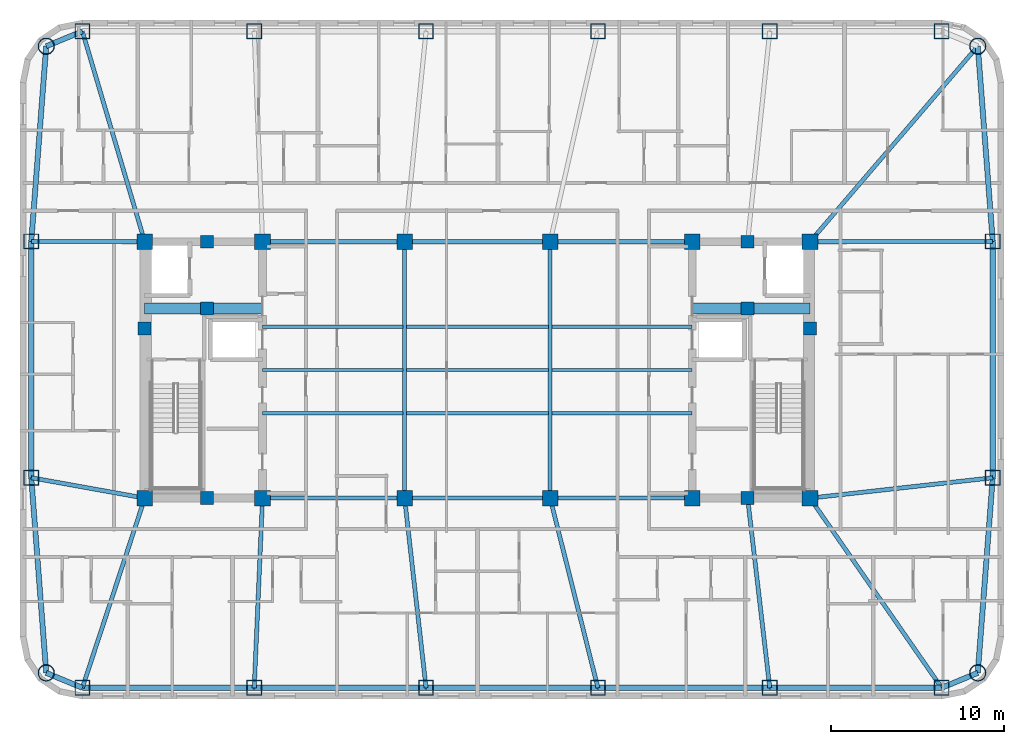
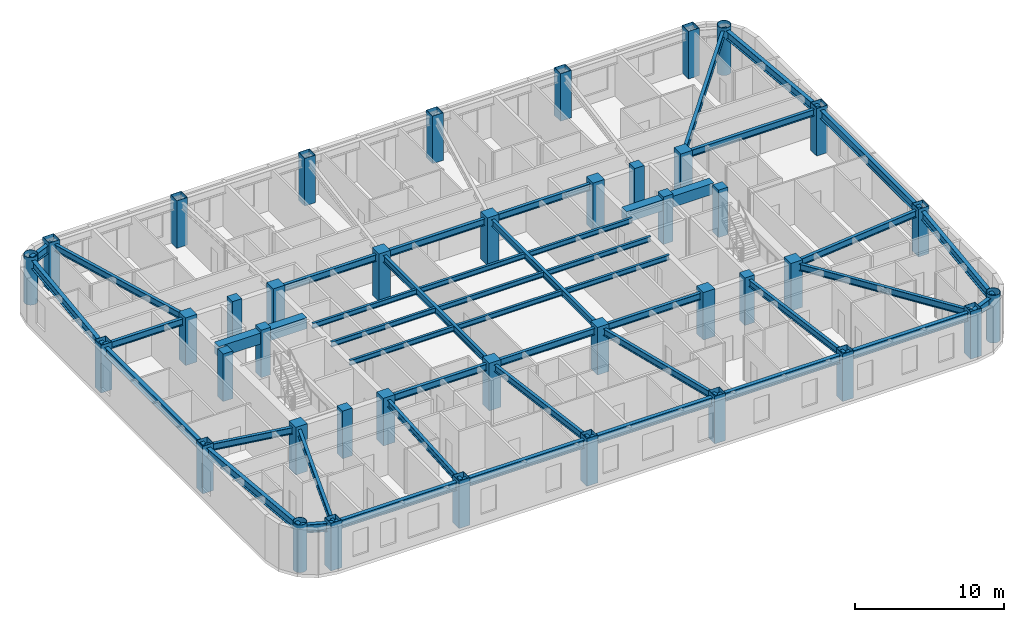
# One storey, part 1 of 11: 45 beams, 40 columns.
"""IFC4 building model written with IfcOpenShell, lengths in metres."""

import ifcopenshell
import ifcopenshell.guid

model = None  # the IFC model being written
_history = None  # IfcOwnerHistory: only IFC2X3 demands one
_inside = {}  # id of a spatial element -> (the spatial element, [elements in it])
_under = {}  # id of a project, library or spatial element -> (it, [spatial elements below it])
_declared = {}  # id of a project -> (the project, [libraries it declares])
_typed = {}  # id of a type object -> (the type object, [elements of that type])
_made_of = {}  # id of a material, layer set ... -> (it, [elements and type objects made of it])


def new_model(schema):
    """Start an empty IFC model of exactly this schema.

    Asked for "IFC4X3", IfcOpenShell would pick the latest addendum, in which some entities
    have other attributes; the version numbers below select the first issue.
    IFC2X3 requires an IfcOwnerHistory on every rooted entity: one is made here for all.
    """
    global model, _history
    if schema == "IFC4X3":
        model = ifcopenshell.file(schema_version=(4, 3, 0, 0))
    else:
        model = ifcopenshell.file(schema=schema)
    _inside.clear()
    _under.clear()
    _declared.clear()
    _typed.clear()
    _made_of.clear()
    _history = None
    if model.schema == "IFC2X3":
        org = make("IfcOrganization", Name="unknown")
        user = make(
            "IfcPersonAndOrganization",
            ThePerson=make("IfcPerson", FamilyName="unknown"),
            TheOrganization=org,
        )
        app = make(
            "IfcApplication",
            ApplicationDeveloper=org,
            Version="unknown",
            ApplicationFullName="unknown",
            ApplicationIdentifier="unknown",
        )
        _history = make(
            "IfcOwnerHistory",
            OwningUser=user,
            OwningApplication=app,
            ChangeAction="ADDED",
            CreationDate=0,
        )
    return model


def make(cls, **values):
    """One entity of the class cls with the attributes given. An attribute that is None is left unset."""
    return model.create_entity(
        cls, **{name: value for name, value in values.items() if value is not None}
    )


def rooted(cls, **values):
    """An entity with a GlobalId (a new one), such as an element, a storey or a relation."""
    return make(cls, GlobalId=ifcopenshell.guid.new(), OwnerHistory=_history, **values)


def si_unit(unit_type, name, prefix=None):
    """IfcSIUnit, for example si_unit("LENGTHUNIT", "METRE", prefix="MILLI")."""
    return make("IfcSIUnit", UnitType=unit_type, Prefix=prefix, Name=name)


def assignment(units):
    """IfcUnitAssignment: the units of a project."""
    return None if units is None else make("IfcUnitAssignment", Units=units)


def point(xyz):
    """IfcCartesianPoint."""
    return None if xyz is None else make("IfcCartesianPoint", Coordinates=xyz)


def direction(xyz):
    """IfcDirection."""
    return None if xyz is None else make("IfcDirection", DirectionRatios=xyz)


def frame(location, z_axis=None, x_axis=None):
    """IfcAxis2Placement3D, a coordinate frame: its origin and axes. An axis left out is left unset."""
    return make(
        "IfcAxis2Placement3D",
        Location=point(location),
        Axis=direction(z_axis),
        RefDirection=direction(x_axis),
    )


def frame_2d(location, x_axis=None):
    """IfcAxis2Placement2D, a coordinate frame in the plane: its origin and x axis."""
    return make(
        "IfcAxis2Placement2D", Location=point(location), RefDirection=direction(x_axis)
    )


def origin():
    """The frame at (0, 0, 0) with its axes left unset."""
    return frame((0.0, 0.0, 0.0))


def origin_2d():
    """The frame at (0, 0) in the plane with its x axis left unset."""
    return frame_2d((0.0, 0.0))


def place(relative_to, where):
    """IfcLocalPlacement: puts the frame where relative to a parent placement (None: the world)."""
    return make(
        "IfcLocalPlacement", PlacementRelTo=relative_to, RelativePlacement=where
    )


def context(
    kind, dimensions, precision=None, world=None, true_north=None, identifier=None
):
    """IfcGeometricRepresentationContext, for example the 3D "Model" context."""
    return make(
        "IfcGeometricRepresentationContext",
        ContextIdentifier=identifier,
        ContextType=kind,
        CoordinateSpaceDimension=dimensions,
        Precision=precision,
        WorldCoordinateSystem=world,
        TrueNorth=true_north,
    )


def subcontext(parent, identifier, kind, view, scale=None):
    """IfcGeometricRepresentationSubContext, for example "Body" below "Model"."""
    return make(
        "IfcGeometricRepresentationSubContext",
        ContextIdentifier=identifier,
        ContextType=kind,
        ParentContext=parent,
        TargetScale=scale,
        TargetView=view,
    )


def project(units=None, contexts=None):
    """IfcProject with its units and contexts."""
    return rooted(
        "IfcProject",
        Name="project",
        RepresentationContexts=contexts,
        UnitsInContext=assignment(units),
    )


def spatial(cls, under=None, at=None, **own):
    """A site, building, storey or space (cls), placed at a placement, below another one or the project."""
    s = rooted(cls, ObjectPlacement=at, **own)
    if under is not None:
        _under.setdefault(under.id(), (under, []))[1].append(s)
    return s


def profile(cls, at=None, kind="AREA", **sizes):
    """A parametric profile (cls). Its sizes go by their IFC names, for example OverallWidth=200.0."""
    return make(cls, ProfileType=kind, Position=at, **sizes)


def rectangle(**sizes):
    """IfcRectangleProfileDef."""
    return profile("IfcRectangleProfileDef", **sizes)


def hollow_rectangle(**sizes):
    """IfcRectangleHollowProfileDef."""
    return profile("IfcRectangleHollowProfileDef", **sizes)


def hollow_circle(**sizes):
    """IfcCircleHollowProfileDef."""
    return profile("IfcCircleHollowProfileDef", **sizes)


def i_section(**sizes):
    """IfcIShapeProfileDef."""
    return profile("IfcIShapeProfileDef", **sizes)


def extrude(swept, where, along, depth):
    """IfcExtrudedAreaSolid: the profile swept, set in the frame where, extruded along a direction by depth."""
    return make(
        "IfcExtrudedAreaSolid",
        SweptArea=swept,
        Position=where,
        ExtrudedDirection=direction(along),
        Depth=depth,
    )


def shape(context_of_items, identifier, shape_type, items):
    """IfcShapeRepresentation: the items that make up one representation, for example the "Body"."""
    return make(
        "IfcShapeRepresentation",
        ContextOfItems=context_of_items,
        RepresentationIdentifier=identifier,
        RepresentationType=shape_type,
        Items=items,
    )


def material(Name=None, Category=None):
    """IfcMaterial."""
    return make("IfcMaterial", Name=Name, Category=Category)


def material_profile(
    of_material, cross_section, Name=None, Category=None, Priority=None
):
    """IfcMaterialProfile: a cross section and its material."""
    return make(
        "IfcMaterialProfile",
        Name=Name,
        Material=of_material,
        Profile=cross_section,
        Priority=Priority,
        Category=Category,
    )


def profile_set(profiles, Name=None, composite=None):
    """IfcMaterialProfileSet."""
    return make(
        "IfcMaterialProfileSet",
        Name=Name,
        MaterialProfiles=profiles,
        CompositeProfile=composite,
    )


def made_of(thing, what):
    """Note that an element or type object is made of a material, layer set ...; save() writes the relation."""
    if what is not None:
        _made_of.setdefault(what.id(), (what, []))[1].append(thing)
    return thing


def type_object(cls, material=None, **own):
    """A type object (cls), such as IfcWallType, which elements share."""
    return made_of(rooted(cls, **own), material)


def element(
    cls,
    number,
    at=None,
    inside=None,
    cuts=None,
    type_object=None,
    material=None,
    context=None,
    identifier="Body",
    shape_type=None,
    held_by="IfcProductDefinitionShape",
    body=None,
    shapes=None,
    **own,
):
    """One element of the class cls, such as IfcWall. Its Tag is "e" and its number.

    at: its placement. inside: the storey or other place that contains it. cuts: it is an
    opening in that element (IfcRelVoidsElement). A single representation is given by context,
    identifier, shape_type and body (its items); several are given by shapes. held_by: the class
    of the entity that holds the representations. save() writes the other relations.
    """
    e = rooted(cls, Tag="e%d" % number, ObjectPlacement=at, **own)
    if body is not None:
        shapes = [shape(context, identifier, shape_type, body)]
    if shapes is not None:
        e.Representation = make(held_by, Representations=shapes)
    if inside is not None:
        _inside.setdefault(inside.id(), (inside, []))[1].append(e)
    if cuts is not None:
        rooted(
            "IfcRelVoidsElement", RelatingBuildingElement=cuts, RelatedOpeningElement=e
        )
    if type_object is not None:
        _typed.setdefault(type_object.id(), (type_object, []))[1].append(e)
    return made_of(e, material)


def aggregate(whole, parts):
    """IfcRelAggregates: a whole, such as a stair, and the parts it consists of."""
    return rooted("IfcRelAggregates", RelatingObject=whole, RelatedObjects=parts)


def save(model, path):
    """Write the relations noted so far, then the file.

    IfcRelAggregates (storeys below a building ...), IfcRelContainedInSpatialStructure (elements
    in a storey), IfcRelDefinesByType, IfcRelAssociatesMaterial and IfcRelDeclares: one each for
    every whole, place, type object, material and project.
    """
    for whole, parts in _under.values():
        aggregate(whole, parts)
    for where, things in _inside.values():
        rooted(
            "IfcRelContainedInSpatialStructure",
            RelatedElements=things,
            RelatingStructure=where,
        )
    for kind, things in _typed.values():
        rooted("IfcRelDefinesByType", RelatedObjects=things, RelatingType=kind)
    for what, things in _made_of.values():
        rooted("IfcRelAssociatesMaterial", RelatedObjects=things, RelatingMaterial=what)
    for by, libraries in _declared.values():
        rooted("IfcRelDeclares", RelatingContext=by, RelatedDefinitions=libraries)
    model.write(path)


model = new_model("IFC4")

# Units and contexts
model_context = context("Model", 3, precision=1e-05, world=origin(), true_north=direction((0.0, 1.0)))
body_context = subcontext(model_context, "Body", "Model", "MODEL_VIEW")
ifc_project = project(units=[si_unit("LENGTHUNIT", "METRE"), si_unit("AREAUNIT", "SQUARE_METRE"), si_unit("VOLUMEUNIT", "CUBIC_METRE"), si_unit("PLANEANGLEUNIT", "RADIAN"), si_unit("MASSUNIT", "GRAM", prefix="KILO")], contexts=[model_context])

# Site, building, storey
site_placement = place(None, origin())
site = spatial("IfcSite", under=ifc_project, at=site_placement, CompositionType="ELEMENT")
building_placement = place(site_placement, origin())
building = spatial("IfcBuilding", under=site, at=building_placement, Name="Voryun Gate Residences", CompositionType="ELEMENT")
storey_placement = place(building_placement, frame((0.0, 0.0, 215.800048828125)))
storey = spatial("IfcBuildingStorey", under=building, at=storey_placement, Name="L53", CompositionType="ELEMENT", Elevation=215.800048828125)

# Columns
ifc_material_1 = material(Name="Concrete C50/60", Category="concrete")
ifc_material_profile_1 = material_profile(ifc_material_1, rectangle(XDim=0.75, YDim=0.75, at=origin_2d()), Name="RC-750x750")
ifc_profile_set_1 = profile_set([ifc_material_profile_1], Name="Concrete C50/60")
column_type_1 = type_object("IfcColumnType", Name="COL_CORE_750", PredefinedType="COLUMN", material=ifc_profile_set_1)
for number, where, z_axis, x_axis, name in (
    (1, (-19.199951171875, 2.39990234375, 0.0), (0.0, 0.0, 1.0), (1.0, 0.0, 0.0), "L53 Core boundary column WC-MW"),
    (2, (-15.60009765625, -7.39990234375, 0.0), (0.0, 0.0, 1.0), (1.0, 0.0, 0.0), "L53 Core boundary column WC-SM"),
    (3, (-15.60009765625, 7.39990234375, 0.0), (0.0, 0.0, 1.0), (1.0, 0.0, 0.0), "L53 Core boundary column WC-NM"),
    (4, (-15.60009765625, 3.550048828125, 0.0), (0.0, 0.0, 1.0), (1.0, 0.0, 0.0), "L53 Core boundary column WC-MM"),
    (5, (15.60009765625, 3.550048828125, 0.0), (0.0, 0.0, 1.0), (1.0, 0.0, 0.0), "L53 Core boundary column EC-MM"),
    (6, (15.60009765625, -7.39990234375, 0.0), (0.0, 0.0, 1.0), (1.0, 0.0, 0.0), "L53 Core boundary column EC-SM"),
    (7, (15.60009765625, 7.39990234375, 0.0), (0.0, 0.0, 1.0), (1.0, 0.0, 0.0), "L53 Core boundary column EC-NM"),
    (8, (19.199951171875, 2.39990234375, 0.0), (0.0, 0.0, 1.0), (1.0, 0.0, 0.0), "L53 Core boundary column EC-ME"),
):
    element("IfcColumn", number, at=place(storey_placement, frame(where, z_axis=z_axis, x_axis=x_axis)), inside=storey, type_object=column_type_1, Name=name, PredefinedType="COLUMN", context=body_context, shape_type="SweptSolid", body=[
        extrude(rectangle(XDim=0.75, YDim=0.75, at=origin_2d()), origin(), (0.0, 0.0, 1.0), 3.89990234375),
    ])
ifc_material_2 = material(Name="Concrete C50/60", Category="concrete")
ifc_material_profile_2 = material_profile(ifc_material_2, rectangle(XDim=0.89990234375, YDim=0.89990234375, at=origin_2d()), Name="RC-900x900")
ifc_profile_set_2 = profile_set([ifc_material_profile_2], Name="Concrete C50/60")
column_type_2 = type_object("IfcColumnType", Name="COL_CORE_900", PredefinedType="COLUMN", material=ifc_profile_set_2)
for number, where, z_axis, x_axis, name in (
    (9, (-19.199951171875, -7.39990234375, 0.0), (0.0, 0.0, 1.0), (1.0, 0.0, 0.0), "L53 Core boundary column WC-SW"),
    (10, (-19.199951171875, 7.39990234375, 0.0), (0.0, 0.0, 1.0), (1.0, 0.0, 0.0), "L53 Core boundary column WC-NW"),
    (11, (-12.39990234375, -7.39990234375, 0.0), (0.0, 0.0, 1.0), (1.0, 0.0, 0.0), "L53 Core boundary column WC-SE"),
    (12, (-12.39990234375, 7.39990234375, 0.0), (0.0, 0.0, 1.0), (1.0, 0.0, 0.0), "L53 Core boundary column WC-NE"),
    (13, (12.39990234375, -7.39990234375, 0.0), (0.0, 0.0, 1.0), (1.0, 0.0, 0.0), "L53 Core boundary column EC-SW"),
    (14, (12.39990234375, 7.39990234375, 0.0), (0.0, 0.0, 1.0), (1.0, 0.0, 0.0), "L53 Core boundary column EC-NW"),
    (15, (19.199951171875, -7.39990234375, 0.0), (0.0, 0.0, 1.0), (1.0, 0.0, 0.0), "L53 Core boundary column EC-SE"),
    (16, (19.199951171875, 7.39990234375, 0.0), (0.0, 0.0, 1.0), (1.0, 0.0, 0.0), "L53 Core boundary column EC-NE"),
    (17, (-4.199951171875, -7.39990234375, 0.0), (0.0, 0.0, 1.0), (1.0, 0.0, 0.0), "L53 Interior spine column SP-WS"),
    (18, (-4.199951171875, 7.39990234375, 0.0), (0.0, 0.0, 1.0), (1.0, 0.0, 0.0), "L53 Interior spine column SP-WN"),
    (19, (4.199951171875, -7.39990234375, 0.0), (0.0, 0.0, 1.0), (1.0, 0.0, 0.0), "L53 Interior spine column SP-ES"),
    (20, (4.199951171875, 7.39990234375, 0.0), (0.0, 0.0, 1.0), (1.0, 0.0, 0.0), "L53 Interior spine column SP-EN"),
):
    element("IfcColumn", number, at=place(storey_placement, frame(where, z_axis=z_axis, x_axis=x_axis)), inside=storey, type_object=column_type_2, Name=name, PredefinedType="COLUMN", context=body_context, shape_type="SweptSolid", body=[
        extrude(rectangle(XDim=0.89990234375, YDim=0.89990234375, at=origin_2d()), origin(), (0.0, 0.0, 1.0), 3.89990234375),
    ])
ifc_material_3 = material(Name="Steel SM420", Category="steel")
ifc_material_profile_3 = material_profile(ifc_material_3, hollow_circle(Radius=0.47509765625, WallThickness=0.031982421875, at=origin_2d()), Name="CHS-950x32")
ifc_profile_set_3 = profile_set([ifc_material_profile_3], Name="Steel SM420")
column_type_3 = type_object("IfcColumnType", Name="COL_CRN_950", PredefinedType="COLUMN", material=ifc_profile_set_3)
for number, where, z_axis, x_axis, name in (
    (21, (28.885986328125, -17.486083984375, 0.0), (0.0, 0.0, 1.0), (1.0, 0.0, 0.0), "L53 Exoskeleton column CSE"),
    (22, (28.885986328125, 18.68603515625, 0.0), (0.0, 0.0, 1.0), (1.0, 0.0, 0.0), "L53 Exoskeleton column CNE"),
    (23, (-24.885986328125, 18.68603515625, 0.0), (0.0, 0.0, 1.0), (1.0, 0.0, 0.0), "L53 Exoskeleton column CNW"),
    (24, (-24.885986328125, -17.486083984375, 0.0), (0.0, 0.0, 1.0), (1.0, 0.0, 0.0), "L53 Exoskeleton column CSW"),
):
    element("IfcColumn", number, at=place(storey_placement, frame(where, z_axis=z_axis, x_axis=x_axis)), inside=storey, type_object=column_type_3, Name=name, PredefinedType="COLUMN", context=body_context, shape_type="SweptSolid", body=[
        extrude(hollow_circle(Radius=0.47509765625, WallThickness=0.031982421875, at=origin_2d()), origin(), (0.0, 0.0, 1.0), 3.89990234375),
    ])
ifc_material_4 = material(Name="Steel SM355", Category="steel")
ifc_material_profile_4 = material_profile(ifc_material_4, hollow_rectangle(XDim=0.85009765625, YDim=0.85009765625, WallThickness=0.028076171875, at=origin_2d()), Name="BOX-850x850x28")
ifc_profile_set_4 = profile_set([ifc_material_profile_4], Name="Steel SM355")
column_type_4 = type_object("IfcColumnType", Name="COL_EXO_B4", PredefinedType="COLUMN", material=ifc_profile_set_4)
for number, where, z_axis, x_axis, name in (
    (25, (-22.800048828125, -18.35009765625, 0.0), (0.0, 0.0, 1.0), (1.0, 0.0, 0.0), "L53 Exoskeleton column S1"),
    (26, (-12.8798828125, -18.35009765625, 0.0), (0.0, 0.0, 1.0), (1.0, 0.0, 0.0), "L53 Exoskeleton column S2"),
    (27, (-2.9599609375, -18.35009765625, 0.0), (0.0, 0.0, 1.0), (1.0, 0.0, 0.0), "L53 Exoskeleton column S3"),
    (28, (6.9599609375, -18.35009765625, 0.0), (0.0, 0.0, 1.0), (1.0, 0.0, 0.0), "L53 Exoskeleton column S4"),
    (29, (16.8798828125, -18.35009765625, 0.0), (0.0, 0.0, 1.0), (1.0, 0.0, 0.0), "L53 Exoskeleton column S5"),
    (30, (26.800048828125, -18.35009765625, 0.0), (0.0, 0.0, 1.0), (1.0, 0.0, 0.0), "L53 Exoskeleton column S6"),
    (31, (29.75, -6.221923828125, 0.0), (0.0, 0.0, 1.0), (1.0, 0.0, 0.0), "L53 Exoskeleton column E1"),
    (32, (29.75, 7.422119140625, 0.0), (0.0, 0.0, 1.0), (1.0, 0.0, 0.0), "L53 Exoskeleton column E2"),
    (33, (26.800048828125, 19.550048828125, 0.0), (0.0, 0.0, 1.0), (1.0, 0.0, 0.0), "L53 Exoskeleton column N1"),
    (34, (16.8798828125, 19.550048828125, 0.0), (0.0, 0.0, 1.0), (1.0, 0.0, 0.0), "L53 Exoskeleton column N2"),
    (35, (6.9599609375, 19.550048828125, 0.0), (0.0, 0.0, 1.0), (1.0, 0.0, 0.0), "L53 Exoskeleton column N3"),
    (36, (-2.9599609375, 19.550048828125, 0.0), (0.0, 0.0, 1.0), (1.0, 0.0, 0.0), "L53 Exoskeleton column N4"),
    (37, (-12.8798828125, 19.550048828125, 0.0), (0.0, 0.0, 1.0), (1.0, 0.0, 0.0), "L53 Exoskeleton column N5"),
    (38, (-22.800048828125, 19.550048828125, 0.0), (0.0, 0.0, 1.0), (1.0, 0.0, 0.0), "L53 Exoskeleton column N6"),
    (39, (-25.75, 7.422119140625, 0.0), (0.0, 0.0, 1.0), (1.0, 0.0, 0.0), "L53 Exoskeleton column W1"),
    (40, (-25.75, -6.221923828125, 0.0), (0.0, 0.0, 1.0), (1.0, 0.0, 0.0), "L53 Exoskeleton column W2"),
):
    element("IfcColumn", number, at=place(storey_placement, frame(where, z_axis=z_axis, x_axis=x_axis)), inside=storey, type_object=column_type_4, Name=name, PredefinedType="COLUMN", context=body_context, shape_type="SweptSolid", body=[
        extrude(hollow_rectangle(XDim=0.85009765625, YDim=0.85009765625, WallThickness=0.028076171875, at=origin_2d()), origin(), (0.0, 0.0, 1.0), 3.89990234375),
    ])

# Beams
ifc_material_5 = material(Name="Concrete C60/75", Category="concrete")
ifc_material_profile_5 = material_profile(ifc_material_5, rectangle(XDim=0.64990234375, YDim=0.89990234375, at=origin_2d()), Name="RC-650x900")
ifc_profile_set_5 = profile_set([ifc_material_profile_5], Name="Concrete C60/75")
beam_type_1 = type_object("IfcBeamType", Name="BM_COUP_RC900", PredefinedType="LINTEL", material=ifc_profile_set_5)
for number, where, z_axis, x_axis, name in (
    (41, (-19.199951171875, 3.550048828125, 3.199951171875), (1.0, 0.0, 0.0), (0.0, 1.0, 0.0), "BM-L53-WC1"),
    (42, (12.39990234375, 3.550048828125, 3.199951171875), (1.0, 0.0, 0.0), (0.0, 1.0, 0.0), "BM-L53-EC1"),
):
    element("IfcBeam", number, at=place(storey_placement, frame(where, z_axis=z_axis, x_axis=x_axis)), inside=storey, type_object=beam_type_1, Name=name, PredefinedType="LINTEL", context=body_context, shape_type="SweptSolid", body=[
        extrude(rectangle(XDim=0.64990234375, YDim=0.89990234375, at=origin_2d()), origin(), (0.0, 0.0, 1.0), 6.800048828125),
    ])
ifc_material_6 = material(Name="Steel SM355", Category="steel")
ifc_material_profile_6 = material_profile(ifc_material_6, i_section(OverallWidth=0.300048828125, OverallDepth=0.679931640625, WebThickness=0.013916015625, FlangeThickness=0.02490234375, FilletRadius=0.01806640625, at=origin_2d()), Name="H-680x300x14x25")
ifc_profile_set_6 = profile_set([ifc_material_profile_6], Name="Steel SM355")
beam_type_2 = type_object("IfcBeamType", Name="BM_EXO_SPANDREL_M", PredefinedType="SPANDREL", material=ifc_profile_set_6)
beam_1_placement = place(storey_placement, frame((-22.800048828125, -18.35009765625, 3.31005859375), z_axis=(1.0, 0.0, 0.0), x_axis=(0.0, 1.0, 0.0)))
element("IfcBeam", 43, at=beam_1_placement, inside=storey, type_object=beam_type_2, Name="BM-L53-SPAND-01", PredefinedType="SPANDREL", context=body_context, shape_type="SweptSolid", body=[
    extrude(i_section(OverallWidth=0.300048828125, OverallDepth=0.679931640625, WebThickness=0.013916015625, FlangeThickness=0.02490234375, FilletRadius=0.01806640625, at=origin_2d()), origin(), (0.0, 0.0, 1.0), 9.920166015625),
])
for number, where, z_axis, x_axis, name in (
    (44, (-12.8798828125, -18.35009765625, 3.31005859375), (1.0, 0.0, 0.0), (0.0, 1.0, 0.0), "BM-L53-SPAND-02"),
    (45, (-2.9599609375, -18.35009765625, 3.31005859375), (1.0, 0.0, 0.0), (0.0, 1.0, 0.0), "BM-L53-SPAND-03"),
    (46, (6.9599609375, -18.35009765625, 3.31005859375), (1.0, 0.0, 0.0), (0.0, 1.0, 0.0), "BM-L53-SPAND-04"),
):
    element("IfcBeam", number, at=place(storey_placement, frame(where, z_axis=z_axis, x_axis=x_axis)), inside=storey, type_object=beam_type_2, Name=name, PredefinedType="SPANDREL", context=body_context, shape_type="SweptSolid", body=[
        extrude(i_section(OverallWidth=0.300048828125, OverallDepth=0.679931640625, WebThickness=0.013916015625, FlangeThickness=0.02490234375, FilletRadius=0.01806640625, at=origin_2d()), origin(), (0.0, 0.0, 1.0), 9.919921875),
    ])
beam_2_placement = place(storey_placement, frame((16.8798828125, -18.35009765625, 3.31005859375), z_axis=(1.0, 0.0, 0.0), x_axis=(0.0, 1.0, 0.0)))
element("IfcBeam", 47, at=beam_2_placement, inside=storey, type_object=beam_type_2, Name="BM-L53-SPAND-05", PredefinedType="SPANDREL", context=body_context, shape_type="SweptSolid", body=[
    extrude(i_section(OverallWidth=0.300048828125, OverallDepth=0.679931640625, WebThickness=0.013916015625, FlangeThickness=0.02490234375, FilletRadius=0.01806640625, at=origin_2d()), origin(), (0.0, 0.0, 1.0), 9.920166015625),
])
beam_3_placement = place(storey_placement, frame((26.800048828125, -18.35009765625, 3.31005859375), z_axis=(0.923881087602, 0.382679678022, 0.0), x_axis=(-0.382679678022, 0.923881087602, 0.0)))
element("IfcBeam", 48, at=beam_3_placement, inside=storey, type_object=beam_type_2, Name="BM-L53-SPAND-06", PredefinedType="SPANDREL", context=body_context, shape_type="SweptSolid", body=[
    extrude(i_section(OverallWidth=0.300048828125, OverallDepth=0.679931640625, WebThickness=0.013916015625, FlangeThickness=0.02490234375, FilletRadius=0.01806640625, at=origin_2d()), origin(), (0.0, 0.0, 1.0), 2.2578125),
])
beam_4_placement = place(storey_placement, frame((28.885986328125, -17.486083984375, 3.31005859375), z_axis=(0.076480009441, 0.997071114894, 0.0), x_axis=(-0.997071114894, 0.076480009441, 0.0)))
element("IfcBeam", 49, at=beam_4_placement, inside=storey, type_object=beam_type_2, Name="BM-L53-SPAND-07", PredefinedType="SPANDREL", context=body_context, shape_type="SweptSolid", body=[
    extrude(i_section(OverallWidth=0.300048828125, OverallDepth=0.679931640625, WebThickness=0.013916015625, FlangeThickness=0.02490234375, FilletRadius=0.01806640625, at=origin_2d()), origin(), (0.0, 0.0, 1.0), 11.29736328125),
])
beam_5_placement = place(storey_placement, frame((29.75, -6.221923828125, 3.31005859375), z_axis=(0.0, 1.0, 0.0), x_axis=(-1.0, 0.0, 0.0)))
element("IfcBeam", 50, at=beam_5_placement, inside=storey, type_object=beam_type_2, Name="BM-L53-SPAND-08", PredefinedType="SPANDREL", context=body_context, shape_type="SweptSolid", body=[
    extrude(i_section(OverallWidth=0.300048828125, OverallDepth=0.679931640625, WebThickness=0.013916015625, FlangeThickness=0.02490234375, FilletRadius=0.01806640625, at=origin_2d()), origin(), (0.0, 0.0, 1.0), 13.64404296875),
])
beam_6_placement = place(storey_placement, frame((29.75, 7.422119140625, 3.31005859375), z_axis=(-0.076481657417, 0.997070988485, 0.0), x_axis=(-0.997070988485, -0.076481657417, 0.0)))
element("IfcBeam", 51, at=beam_6_placement, inside=storey, type_object=beam_type_2, Name="BM-L53-SPAND-09", PredefinedType="SPANDREL", context=body_context, shape_type="SweptSolid", body=[
    extrude(i_section(OverallWidth=0.300048828125, OverallDepth=0.679931640625, WebThickness=0.013916015625, FlangeThickness=0.02490234375, FilletRadius=0.01806640625, at=origin_2d()), origin(), (0.0, 0.0, 1.0), 11.297119140625),
])
beam_7_placement = place(storey_placement, frame((-22.800048828125, 19.550048828125, 3.31005859375), z_axis=(-0.923881087602, -0.382679678022, 0.0), x_axis=(0.382679678022, -0.923881087602, 0.0)))
element("IfcBeam", 52, at=beam_7_placement, inside=storey, type_object=beam_type_2, Name="BM-L53-SPAND-16", PredefinedType="SPANDREL", context=body_context, shape_type="SweptSolid", body=[
    extrude(i_section(OverallWidth=0.300048828125, OverallDepth=0.679931640625, WebThickness=0.013916015625, FlangeThickness=0.02490234375, FilletRadius=0.01806640625, at=origin_2d()), origin(), (0.0, 0.0, 1.0), 2.2578125),
])
beam_8_placement = place(storey_placement, frame((-24.885986328125, 18.68603515625, 3.31005859375), z_axis=(-0.076481657417, -0.997070988485, 0.0), x_axis=(0.997070988485, -0.076481657417, 0.0)))
element("IfcBeam", 53, at=beam_8_placement, inside=storey, type_object=beam_type_2, Name="BM-L53-SPAND-17", PredefinedType="SPANDREL", context=body_context, shape_type="SweptSolid", body=[
    extrude(i_section(OverallWidth=0.300048828125, OverallDepth=0.679931640625, WebThickness=0.013916015625, FlangeThickness=0.02490234375, FilletRadius=0.01806640625, at=origin_2d()), origin(), (0.0, 0.0, 1.0), 11.297119140625),
])
beam_9_placement = place(storey_placement, frame((-25.75, 7.422119140625, 3.31005859375), z_axis=(0.0, -1.0, 0.0), x_axis=(1.0, 0.0, 0.0)))
element("IfcBeam", 54, at=beam_9_placement, inside=storey, type_object=beam_type_2, Name="BM-L53-SPAND-18", PredefinedType="SPANDREL", context=body_context, shape_type="SweptSolid", body=[
    extrude(i_section(OverallWidth=0.300048828125, OverallDepth=0.679931640625, WebThickness=0.013916015625, FlangeThickness=0.02490234375, FilletRadius=0.01806640625, at=origin_2d()), origin(), (0.0, 0.0, 1.0), 13.64404296875),
])
beam_10_placement = place(storey_placement, frame((-25.75, -6.221923828125, 3.31005859375), z_axis=(0.076480009441, -0.997071114894, 0.0), x_axis=(0.997071114894, 0.076480009441, 0.0)))
element("IfcBeam", 55, at=beam_10_placement, inside=storey, type_object=beam_type_2, Name="BM-L53-SPAND-19", PredefinedType="SPANDREL", context=body_context, shape_type="SweptSolid", body=[
    extrude(i_section(OverallWidth=0.300048828125, OverallDepth=0.679931640625, WebThickness=0.013916015625, FlangeThickness=0.02490234375, FilletRadius=0.01806640625, at=origin_2d()), origin(), (0.0, 0.0, 1.0), 11.29736328125),
])
beam_11_placement = place(storey_placement, frame((-24.885986328125, -17.486083984375, 3.31005859375), z_axis=(0.923881087602, -0.382679678022, 0.0), x_axis=(0.382679678022, 0.923881087602, 0.0)))
element("IfcBeam", 56, at=beam_11_placement, inside=storey, type_object=beam_type_2, Name="BM-L53-SPAND-20", PredefinedType="SPANDREL", context=body_context, shape_type="SweptSolid", body=[
    extrude(i_section(OverallWidth=0.300048828125, OverallDepth=0.679931640625, WebThickness=0.013916015625, FlangeThickness=0.02490234375, FilletRadius=0.01806640625, at=origin_2d()), origin(), (0.0, 0.0, 1.0), 2.2578125),
])
ifc_material_7 = material(Name="Steel SM355", Category="steel")
ifc_material_profile_7 = material_profile(ifc_material_7, i_section(OverallWidth=0.239990234375, OverallDepth=0.550048828125, WebThickness=0.011962890625, FlangeThickness=0.02001953125, FilletRadius=0.01806640625, at=origin_2d()), Name="H-550x240x12x20")
ifc_profile_set_7 = profile_set([ifc_material_profile_7], Name="Steel SM355")
beam_type_3 = type_object("IfcBeamType", Name="BM_GIRD_550", PredefinedType="USERDEFINED", material=ifc_profile_set_7)
beam_12_placement = place(storey_placement, frame((-12.39990234375, -7.39990234375, 3.375), z_axis=(1.0, 0.0, 0.0), x_axis=(0.0, 1.0, 0.0)))
element("IfcBeam", 57, at=beam_12_placement, inside=storey, type_object=beam_type_3, Name="BM-L53-SPG1-S", ObjectType="GIRDER", PredefinedType="USERDEFINED", context=body_context, shape_type="SweptSolid", body=[
    extrude(i_section(OverallWidth=0.239990234375, OverallDepth=0.550048828125, WebThickness=0.011962890625, FlangeThickness=0.02001953125, FilletRadius=0.01806640625, at=origin_2d()), origin(), (0.0, 0.0, 1.0), 8.199951171875),
])
beam_13_placement = place(storey_placement, frame((-4.199951171875, -7.39990234375, 3.375), z_axis=(1.0, 0.0, 0.0), x_axis=(0.0, 1.0, 0.0)))
element("IfcBeam", 58, at=beam_13_placement, inside=storey, type_object=beam_type_3, Name="BM-L53-SPG2-S", ObjectType="GIRDER", PredefinedType="USERDEFINED", context=body_context, shape_type="SweptSolid", body=[
    extrude(i_section(OverallWidth=0.239990234375, OverallDepth=0.550048828125, WebThickness=0.011962890625, FlangeThickness=0.02001953125, FilletRadius=0.01806640625, at=origin_2d()), origin(), (0.0, 0.0, 1.0), 8.39990234375),
])
for number, where, z_axis, x_axis, name in (
    (59, (4.199951171875, -7.39990234375, 3.375), (1.0, 0.0, 0.0), (0.0, 1.0, 0.0), "BM-L53-SPG3-S"),
    (60, (-12.39990234375, 7.39990234375, 3.375), (1.0, 0.0, 0.0), (0.0, 1.0, 0.0), "BM-L53-SPG1-N"),
):
    element("IfcBeam", number, at=place(storey_placement, frame(where, z_axis=z_axis, x_axis=x_axis)), inside=storey, type_object=beam_type_3, Name=name, ObjectType="GIRDER", PredefinedType="USERDEFINED", context=body_context, shape_type="SweptSolid", body=[
        extrude(i_section(OverallWidth=0.239990234375, OverallDepth=0.550048828125, WebThickness=0.011962890625, FlangeThickness=0.02001953125, FilletRadius=0.01806640625, at=origin_2d()), origin(), (0.0, 0.0, 1.0), 8.199951171875),
    ])
beam_14_placement = place(storey_placement, frame((-4.199951171875, 7.39990234375, 3.375), z_axis=(1.0, 0.0, 0.0), x_axis=(0.0, 1.0, 0.0)))
element("IfcBeam", 61, at=beam_14_placement, inside=storey, type_object=beam_type_3, Name="BM-L53-SPG2-N", ObjectType="GIRDER", PredefinedType="USERDEFINED", context=body_context, shape_type="SweptSolid", body=[
    extrude(i_section(OverallWidth=0.239990234375, OverallDepth=0.550048828125, WebThickness=0.011962890625, FlangeThickness=0.02001953125, FilletRadius=0.01806640625, at=origin_2d()), origin(), (0.0, 0.0, 1.0), 8.39990234375),
])
beam_15_placement = place(storey_placement, frame((4.199951171875, 7.39990234375, 3.375), z_axis=(1.0, 0.0, 0.0), x_axis=(0.0, 1.0, 0.0)))
element("IfcBeam", 62, at=beam_15_placement, inside=storey, type_object=beam_type_3, Name="BM-L53-SPG3-N", ObjectType="GIRDER", PredefinedType="USERDEFINED", context=body_context, shape_type="SweptSolid", body=[
    extrude(i_section(OverallWidth=0.239990234375, OverallDepth=0.550048828125, WebThickness=0.011962890625, FlangeThickness=0.02001953125, FilletRadius=0.01806640625, at=origin_2d()), origin(), (0.0, 0.0, 1.0), 8.199951171875),
])
for number, where, z_axis, x_axis, name in (
    (63, (-4.199951171875, -7.39990234375, 3.375), (0.0, 1.0, 0.0), (-1.0, 0.0, 0.0), "BM-L53-SPX-W"),
    (64, (4.199951171875, -7.39990234375, 3.375), (0.0, 1.0, 0.0), (-1.0, 0.0, 0.0), "BM-L53-SPX-E"),
):
    element("IfcBeam", number, at=place(storey_placement, frame(where, z_axis=z_axis, x_axis=x_axis)), inside=storey, type_object=beam_type_3, Name=name, ObjectType="GIRDER", PredefinedType="USERDEFINED", context=body_context, shape_type="SweptSolid", body=[
        extrude(i_section(OverallWidth=0.239990234375, OverallDepth=0.550048828125, WebThickness=0.011962890625, FlangeThickness=0.02001953125, FilletRadius=0.01806640625, at=origin_2d()), origin(), (0.0, 0.0, 1.0), 14.7998046875),
    ])
beam_16_placement = place(storey_placement, frame((-19.199951171875, -7.39990234375, 3.375), z_axis=(-0.312323693326, -0.949975742104, 0.0), x_axis=(0.949975742104, -0.312323693326, 0.0)))
element("IfcBeam", 65, at=beam_16_placement, inside=storey, type_object=beam_type_3, Name="BM-L53-RAD-S1", ObjectType="GIRDER", PredefinedType="USERDEFINED", context=body_context, shape_type="SweptSolid", body=[
    extrude(i_section(OverallWidth=0.239990234375, OverallDepth=0.550048828125, WebThickness=0.011962890625, FlangeThickness=0.02001953125, FilletRadius=0.01806640625, at=origin_2d()), origin(), (0.0, 0.0, 1.0), 11.52685546875),
])
beam_17_placement = place(storey_placement, frame((-12.39990234375, -7.39990234375, 3.375), z_axis=(-0.043791002488, -0.999040713936, 0.0), x_axis=(0.999040713936, -0.043791002488, 0.0)))
element("IfcBeam", 66, at=beam_17_placement, inside=storey, type_object=beam_type_3, Name="BM-L53-RAD-S2", ObjectType="GIRDER", PredefinedType="USERDEFINED", context=body_context, shape_type="SweptSolid", body=[
    extrude(i_section(OverallWidth=0.239990234375, OverallDepth=0.550048828125, WebThickness=0.011962890625, FlangeThickness=0.02001953125, FilletRadius=0.01806640625, at=origin_2d()), origin(), (0.0, 0.0, 1.0), 10.960693359375),
])
beam_18_placement = place(storey_placement, frame((-4.199951171875, -7.39990234375, 3.375), z_axis=(0.112519968476, -0.993649463691, 0.0), x_axis=(0.993649463691, 0.112519968476, 0.0)))
element("IfcBeam", 67, at=beam_18_placement, inside=storey, type_object=beam_type_3, Name="BM-L53-RAD-S3", ObjectType="GIRDER", PredefinedType="USERDEFINED", context=body_context, shape_type="SweptSolid", body=[
    extrude(i_section(OverallWidth=0.239990234375, OverallDepth=0.550048828125, WebThickness=0.011962890625, FlangeThickness=0.02001953125, FilletRadius=0.01806640625, at=origin_2d()), origin(), (0.0, 0.0, 1.0), 11.020263671875),
])
beam_19_placement = place(storey_placement, frame((4.199951171875, -7.39990234375, 3.375), z_axis=(0.24440715799, -0.969672697936, 0.0), x_axis=(0.969672697936, 0.24440715799, 0.0)))
element("IfcBeam", 68, at=beam_19_placement, inside=storey, type_object=beam_type_3, Name="BM-L53-RAD-S4", ObjectType="GIRDER", PredefinedType="USERDEFINED", context=body_context, shape_type="SweptSolid", body=[
    extrude(i_section(OverallWidth=0.239990234375, OverallDepth=0.550048828125, WebThickness=0.011962890625, FlangeThickness=0.02001953125, FilletRadius=0.01806640625, at=origin_2d()), origin(), (0.0, 0.0, 1.0), 11.292724609375),
])
beam_20_placement = place(storey_placement, frame((15.60009765625, -7.39990234375, 3.375), z_axis=(0.116083150214, -0.993239498931, 0.0), x_axis=(0.993239498931, 0.116083150214, 0.0)))
element("IfcBeam", 69, at=beam_20_placement, inside=storey, type_object=beam_type_3, Name="BM-L53-RAD-S5", ObjectType="GIRDER", PredefinedType="USERDEFINED", context=body_context, shape_type="SweptSolid", body=[
    extrude(i_section(OverallWidth=0.239990234375, OverallDepth=0.550048828125, WebThickness=0.011962890625, FlangeThickness=0.02001953125, FilletRadius=0.01806640625, at=origin_2d()), origin(), (0.0, 0.0, 1.0), 11.024658203125),
])
beam_21_placement = place(storey_placement, frame((19.199951171875, -7.39990234375, 3.375), z_axis=(0.570182975489, -0.821517726201, 0.0), x_axis=(0.821517726201, 0.570182975489, 0.0)))
element("IfcBeam", 70, at=beam_21_placement, inside=storey, type_object=beam_type_3, Name="BM-L53-RAD-S6", ObjectType="GIRDER", PredefinedType="USERDEFINED", context=body_context, shape_type="SweptSolid", body=[
    extrude(i_section(OverallWidth=0.239990234375, OverallDepth=0.550048828125, WebThickness=0.011962890625, FlangeThickness=0.02001953125, FilletRadius=0.01806640625, at=origin_2d()), origin(), (0.0, 0.0, 1.0), 13.329345703125),
])
beam_22_placement = place(storey_placement, frame((19.199951171875, -7.39990234375, 3.375), z_axis=(0.993824131675, 0.110966640486, 0.0), x_axis=(-0.110966640486, 0.993824131675, 0.0)))
element("IfcBeam", 71, at=beam_22_placement, inside=storey, type_object=beam_type_3, Name="BM-L53-RAD-E1", ObjectType="GIRDER", PredefinedType="USERDEFINED", context=body_context, shape_type="SweptSolid", body=[
    extrude(i_section(OverallWidth=0.239990234375, OverallDepth=0.550048828125, WebThickness=0.011962890625, FlangeThickness=0.02001953125, FilletRadius=0.01806640625, at=origin_2d()), origin(), (0.0, 0.0, 1.0), 10.61572265625),
])
beam_23_placement = place(storey_placement, frame((19.199951171875, 7.39990234375, 3.375), z_axis=(0.99999778271, 0.002105843108, 0.0), x_axis=(-0.002105843108, 0.99999778271, 0.0)))
element("IfcBeam", 72, at=beam_23_placement, inside=storey, type_object=beam_type_3, Name="BM-L53-RAD-E2", ObjectType="GIRDER", PredefinedType="USERDEFINED", context=body_context, shape_type="SweptSolid", body=[
    extrude(i_section(OverallWidth=0.239990234375, OverallDepth=0.550048828125, WebThickness=0.011962890625, FlangeThickness=0.02001953125, FilletRadius=0.01806640625, at=origin_2d()), origin(), (0.0, 0.0, 1.0), 10.550048828125),
])
beam_24_placement = place(storey_placement, frame((19.199951171875, 7.39990234375, 3.375), z_axis=(0.651264396721, 0.758850898111, 0.0), x_axis=(-0.758850898111, 0.651264396721, 0.0)))
element("IfcBeam", 73, at=beam_24_placement, inside=storey, type_object=beam_type_3, Name="BM-L53-RAD-CNE", ObjectType="GIRDER", PredefinedType="USERDEFINED", context=body_context, shape_type="SweptSolid", body=[
    extrude(i_section(OverallWidth=0.239990234375, OverallDepth=0.550048828125, WebThickness=0.011962890625, FlangeThickness=0.02001953125, FilletRadius=0.01806640625, at=origin_2d()), origin(), (0.0, 0.0, 1.0), 14.87255859375),
])
beam_25_placement = place(storey_placement, frame((-19.199951171875, 7.39990234375, 3.375), z_axis=(-0.284092265434, 0.958796946553, 0.0), x_axis=(-0.958796946553, -0.284092265434, 0.0)))
element("IfcBeam", 74, at=beam_25_placement, inside=storey, type_object=beam_type_3, Name="BM-L53-RAD-N6", ObjectType="GIRDER", PredefinedType="USERDEFINED", context=body_context, shape_type="SweptSolid", body=[
    extrude(i_section(OverallWidth=0.239990234375, OverallDepth=0.550048828125, WebThickness=0.011962890625, FlangeThickness=0.02001953125, FilletRadius=0.01806640625, at=origin_2d()), origin(), (0.0, 0.0, 1.0), 12.67236328125),
])
beam_26_placement = place(storey_placement, frame((-19.199951171875, 7.39990234375, 3.375), z_axis=(-0.999994247719, 0.003391832589, 0.0), x_axis=(-0.003391832589, -0.999994247719, 0.0)))
element("IfcBeam", 75, at=beam_26_placement, inside=storey, type_object=beam_type_3, Name="BM-L53-RAD-W1", ObjectType="GIRDER", PredefinedType="USERDEFINED", context=body_context, shape_type="SweptSolid", body=[
    extrude(i_section(OverallWidth=0.239990234375, OverallDepth=0.550048828125, WebThickness=0.011962890625, FlangeThickness=0.02001953125, FilletRadius=0.01806640625, at=origin_2d()), origin(), (0.0, 0.0, 1.0), 6.550048828125),
])
beam_27_placement = place(storey_placement, frame((-19.199951171875, -7.39990234375, 3.375), z_axis=(-0.984210303638, 0.177003045773, 0.0), x_axis=(-0.177003045773, -0.984210303638, 0.0)))
element("IfcBeam", 76, at=beam_27_placement, inside=storey, type_object=beam_type_3, Name="BM-L53-RAD-W2", ObjectType="GIRDER", PredefinedType="USERDEFINED", context=body_context, shape_type="SweptSolid", body=[
    extrude(i_section(OverallWidth=0.239990234375, OverallDepth=0.550048828125, WebThickness=0.011962890625, FlangeThickness=0.02001953125, FilletRadius=0.01806640625, at=origin_2d()), origin(), (0.0, 0.0, 1.0), 6.655029296875),
])
ifc_material_8 = material(Name="Steel SM355", Category="steel")
ifc_material_profile_8 = material_profile(ifc_material_8, i_section(OverallWidth=0.18994140625, OverallDepth=0.419921875, WebThickness=0.009033203125, FlangeThickness=0.01611328125, FilletRadius=0.01806640625, at=origin_2d()), Name="H-420x190x9x16")
ifc_profile_set_8 = profile_set([ifc_material_profile_8], Name="Steel SM355")
beam_type_4 = type_object("IfcBeamType", Name="BM_SEC_420", PredefinedType="BEAM", material=ifc_profile_set_8)
beam_28_placement = place(storey_placement, frame((-12.39990234375, -2.5, 3.43994140625), z_axis=(1.0, 0.0, 0.0), x_axis=(0.0, 1.0, 0.0)))
element("IfcBeam", 77, at=beam_28_placement, inside=storey, type_object=beam_type_4, Name="BM-L53-SEC-CS1", PredefinedType="BEAM", context=body_context, shape_type="SweptSolid", body=[
    extrude(i_section(OverallWidth=0.18994140625, OverallDepth=0.419921875, WebThickness=0.009033203125, FlangeThickness=0.01611328125, FilletRadius=0.01806640625, at=origin_2d()), origin(), (0.0, 0.0, 1.0), 8.099853515625),
])
beam_29_placement = place(storey_placement, frame((-4.10009765625, -2.5, 3.43994140625), z_axis=(1.0, 0.0, 0.0), x_axis=(0.0, 1.0, 0.0)))
element("IfcBeam", 78, at=beam_29_placement, inside=storey, type_object=beam_type_4, Name="BM-L53-SEC-CS2", PredefinedType="BEAM", context=body_context, shape_type="SweptSolid", body=[
    extrude(i_section(OverallWidth=0.18994140625, OverallDepth=0.419921875, WebThickness=0.009033203125, FlangeThickness=0.01611328125, FilletRadius=0.01806640625, at=origin_2d()), origin(), (0.0, 0.0, 1.0), 8.2001953125),
])
for number, where, z_axis, x_axis, name in (
    (79, (4.300048828125, -2.5, 3.43994140625), (1.0, 0.0, 0.0), (0.0, 1.0, 0.0), "BM-L53-SEC-CS3"),
    (80, (-12.39990234375, 0.0, 3.43994140625), (1.0, 0.0, 0.0), (0.0, 1.0, 0.0), "BM-L53-SEC-CM1"),
):
    element("IfcBeam", number, at=place(storey_placement, frame(where, z_axis=z_axis, x_axis=x_axis)), inside=storey, type_object=beam_type_4, Name=name, PredefinedType="BEAM", context=body_context, shape_type="SweptSolid", body=[
        extrude(i_section(OverallWidth=0.18994140625, OverallDepth=0.419921875, WebThickness=0.009033203125, FlangeThickness=0.01611328125, FilletRadius=0.01806640625, at=origin_2d()), origin(), (0.0, 0.0, 1.0), 8.099853515625),
    ])
beam_30_placement = place(storey_placement, frame((-4.10009765625, 0.0, 3.43994140625), z_axis=(1.0, 0.0, 0.0), x_axis=(0.0, 1.0, 0.0)))
element("IfcBeam", 81, at=beam_30_placement, inside=storey, type_object=beam_type_4, Name="BM-L53-SEC-CM2", PredefinedType="BEAM", context=body_context, shape_type="SweptSolid", body=[
    extrude(i_section(OverallWidth=0.18994140625, OverallDepth=0.419921875, WebThickness=0.009033203125, FlangeThickness=0.01611328125, FilletRadius=0.01806640625, at=origin_2d()), origin(), (0.0, 0.0, 1.0), 8.2001953125),
])
for number, where, z_axis, x_axis, name in (
    (82, (4.300048828125, 0.0, 3.43994140625), (1.0, 0.0, 0.0), (0.0, 1.0, 0.0), "BM-L53-SEC-CM3"),
    (83, (-12.39990234375, 2.5, 3.43994140625), (1.0, 0.0, 0.0), (0.0, 1.0, 0.0), "BM-L53-SEC-CN1"),
):
    element("IfcBeam", number, at=place(storey_placement, frame(where, z_axis=z_axis, x_axis=x_axis)), inside=storey, type_object=beam_type_4, Name=name, PredefinedType="BEAM", context=body_context, shape_type="SweptSolid", body=[
        extrude(i_section(OverallWidth=0.18994140625, OverallDepth=0.419921875, WebThickness=0.009033203125, FlangeThickness=0.01611328125, FilletRadius=0.01806640625, at=origin_2d()), origin(), (0.0, 0.0, 1.0), 8.099853515625),
    ])
beam_31_placement = place(storey_placement, frame((-4.10009765625, 2.5, 3.43994140625), z_axis=(1.0, 0.0, 0.0), x_axis=(0.0, 1.0, 0.0)))
element("IfcBeam", 84, at=beam_31_placement, inside=storey, type_object=beam_type_4, Name="BM-L53-SEC-CN2", PredefinedType="BEAM", context=body_context, shape_type="SweptSolid", body=[
    extrude(i_section(OverallWidth=0.18994140625, OverallDepth=0.419921875, WebThickness=0.009033203125, FlangeThickness=0.01611328125, FilletRadius=0.01806640625, at=origin_2d()), origin(), (0.0, 0.0, 1.0), 8.2001953125),
])
beam_32_placement = place(storey_placement, frame((4.300048828125, 2.5, 3.43994140625), z_axis=(1.0, 0.0, 0.0), x_axis=(0.0, 1.0, 0.0)))
element("IfcBeam", 85, at=beam_32_placement, inside=storey, type_object=beam_type_4, Name="BM-L53-SEC-CN3", PredefinedType="BEAM", context=body_context, shape_type="SweptSolid", body=[
    extrude(i_section(OverallWidth=0.18994140625, OverallDepth=0.419921875, WebThickness=0.009033203125, FlangeThickness=0.01611328125, FilletRadius=0.01806640625, at=origin_2d()), origin(), (0.0, 0.0, 1.0), 8.099853515625),
])

save(model, "model.ifc")
